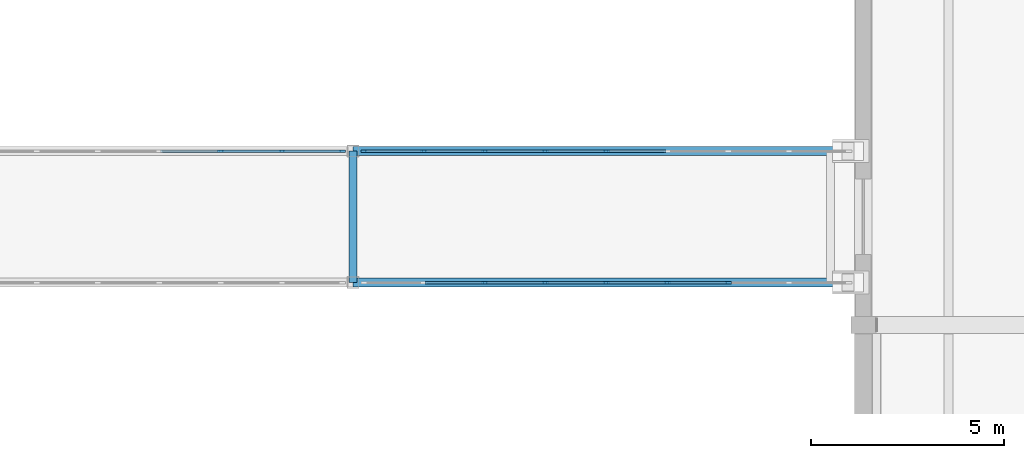
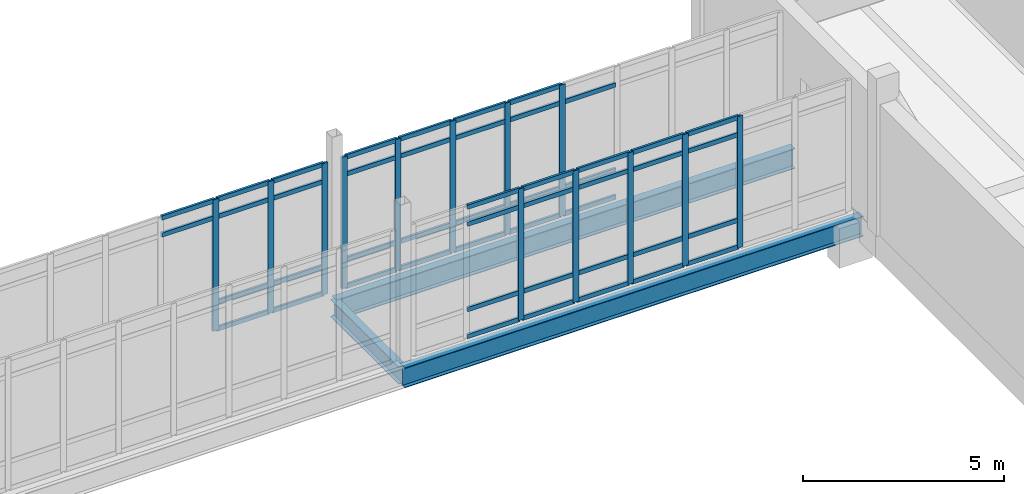
# One storey, part 17 of 101: 62 members, 3 beams, 3 elements without a shape of their own.
"""IFC4 building model written with IfcOpenShell, lengths in metres."""

from ifc_helpers import new_model, si_unit, direction, frame, origin, origin_2d, place, context, subcontext, project, spatial, rectangle, i_section, extrude, material, material_profile, profile_set, type_object, element, aggregate, save


model = new_model("IFC4")

# Units and contexts
model_context = context("Model", 3, precision=1e-05, world=origin(), true_north=direction((0.0, 1.0)))
body_context = subcontext(model_context, "Body", "Model", "MODEL_VIEW")
ifc_project = project(units=[si_unit("LENGTHUNIT", "METRE"), si_unit("AREAUNIT", "SQUARE_METRE"), si_unit("VOLUMEUNIT", "CUBIC_METRE"), si_unit("PLANEANGLEUNIT", "RADIAN"), si_unit("MASSUNIT", "GRAM", prefix="KILO")], contexts=[model_context])

# Site, building, storey
site_placement = place(None, origin())
site = spatial("IfcSite", under=ifc_project, at=site_placement, CompositionType="ELEMENT")
building_placement = place(site_placement, origin())
building = spatial("IfcBuilding", under=site, at=building_placement, Name="Dornvale Research Institute", CompositionType="ELEMENT")
storey_placement = place(building_placement, frame((0.0, 0.0, 10.199951171875)))
storey = spatial("IfcBuildingStorey", under=building, at=storey_placement, Name="L02", CompositionType="ELEMENT", Elevation=10.199951171875)

# Beams
ifc_material_1 = material(Name="Steel ASTM A992 Grade 50", Category="steel")
ifc_material_profile_1 = material_profile(ifc_material_1, i_section(OverallWidth=0.2099609375, OverallDepth=0.535888671875, WebThickness=0.010986328125, FlangeThickness=0.017333984375, at=origin_2d()), Name="W21X68")
ifc_profile_set_1 = profile_set([ifc_material_profile_1], Name="Steel ASTM A992 Grade 50")
beam_type_1 = type_object("IfcBeamType", Name="Beam_Steel_W21X68_Ext", PredefinedType="BEAM", material=ifc_profile_set_1)
beam_placement = place(storey_placement, frame((85.800048828125, 18.699951171875, -0.488037109375), z_axis=(0.0, 1.0, 0.0), x_axis=(-1.0, 0.0, 0.0)))
element("IfcBeam", 1, at=beam_placement, inside=storey, type_object=beam_type_1, Name="L02 BR-6 portal cap beam #2026", PredefinedType="BEAM", context=body_context, shape_type="SweptSolid", body=[
    extrude(i_section(OverallWidth=0.2099609375, OverallDepth=0.535888671875, WebThickness=0.010986328125, FlangeThickness=0.017333984375, at=origin_2d()), origin(), (0.0, 0.0, 1.0), 3.400146484375),
])
ifc_material_2 = material(Name="Steel ASTM A992 Grade 50", Category="steel")
ifc_material_profile_2 = material_profile(ifc_material_2, i_section(OverallWidth=0.22900390625, OverallDepth=0.612060546875, WebThickness=0.011962890625, FlangeThickness=0.01953125, at=origin_2d()), Name="W24X84")
ifc_profile_set_2 = profile_set([ifc_material_profile_2], Name="Steel ASTM A992 Grade 50")
beam_type_2 = type_object("IfcBeamType", Name="Beam_Steel_W24X84_Bridge", PredefinedType="BEAM", material=ifc_profile_set_2)
for number, where, z_axis, x_axis, name in (
    (2, (85.800048828125, 18.699951171875, -0.52587890625), (1.0, 0.0, 0.0), (0.0, 1.0, 0.0), "L02 BR-6 south girder #2026"),
    (3, (85.800048828125, 22.10009765625, -0.52587890625), (1.0, 0.0, 0.0), (0.0, 1.0, 0.0), "L02 BR-6 north girder #2026"),
):
    element("IfcBeam", number, at=place(storey_placement, frame(where, z_axis=z_axis, x_axis=x_axis)), inside=storey, type_object=beam_type_2, Name=name, PredefinedType="BEAM", context=body_context, shape_type="SweptSolid", body=[
        extrude(i_section(OverallWidth=0.22900390625, OverallDepth=0.612060546875, WebThickness=0.011962890625, FlangeThickness=0.01953125, at=origin_2d()), origin(), (0.0, 0.0, 1.0), 13.199951171875),
    ])

# Curtain wall, members
ifc_material_3 = material(Name="Low-E Argon Double Insulating Glazing Unit", Category="glass")
curtain_wall_type_1 = type_object("IfcCurtainWallType", Name="UnitisedCurtainWall_V2_12700x4000", PredefinedType="USERDEFINED", material=ifc_material_3)
curtain_wall_1_placement = place(storey_placement, origin())
curtain_wall_1 = element("IfcCurtainWall", 4, at=curtain_wall_1_placement, inside=storey, type_object=curtain_wall_type_1, Name="L02 V2 unitised curtain wall CW-42 #227", ObjectType="UNITISED CURTAIN WALL", PredefinedType="USERDEFINED")
ifc_material_4 = material(Name="Anodized Aluminum AA 6063-T6 Thermally Broken Frame", Category="aluminium")
ifc_material_profile_3 = material_profile(ifc_material_4, rectangle(XDim=0.06494140625, YDim=0.1650390625, at=origin_2d()), Name="ALU MULLION 65x165")
ifc_profile_set_3 = profile_set([ifc_material_profile_3], Name="Anodized Aluminum AA 6063-T6 Thermally Broken Frame")
member_type_1 = type_object("IfcMemberType", Name="Mullion_Atrium_65x165", PredefinedType="MULLION", material=ifc_profile_set_3)
member_1_placement = place(storey_placement, frame((82.375, 22.10009765625, 0.0), z_axis=(0.0, 0.0, 1.0), x_axis=(0.0, 1.0, 0.0)))
member_1 = element("IfcMember", 5, at=member_1_placement, type_object=member_type_1, Name="CW-42 mullion 7", PredefinedType="MULLION", context=body_context, shape_type="SweptSolid", body=[
    extrude(rectangle(XDim=0.06494140625, YDim=0.1650390625, at=origin_2d()), origin(), (0.0, 0.0, 1.0), 4.0),
])
member_2_placement = place(storey_placement, frame((83.96240234375, 22.10009765625, 0.0), z_axis=(0.0, 0.0, 1.0), x_axis=(0.0, 1.0, 0.0)))
member_2 = element("IfcMember", 6, at=member_2_placement, type_object=member_type_1, Name="CW-42 mullion 8", PredefinedType="MULLION", context=body_context, shape_type="SweptSolid", body=[
    extrude(rectangle(XDim=0.06494140625, YDim=0.1650390625, at=origin_2d()), origin(), (0.0, 0.0, 1.0), 4.0),
])
member_3_placement = place(storey_placement, frame((85.517578125, 22.10009765625, 0.0), z_axis=(0.0, 0.0, 1.0), x_axis=(0.0, 1.0, 0.0)))
member_3 = element("IfcMember", 7, at=member_3_placement, type_object=member_type_1, Name="CW-42 mullion 9", PredefinedType="MULLION", context=body_context, shape_type="SweptSolid", body=[
    extrude(rectangle(XDim=0.06494140625, YDim=0.1650390625, at=origin_2d()), origin(), (0.0, 0.0, 1.0), 4.0),
])

ifc_material_5 = material(Name="Low-E Argon Double Insulating Glazing Unit", Category="glass")
curtain_wall_type_2 = type_object("IfcCurtainWallType", Name="UnitisedCurtainWall_V2_12600x4000", PredefinedType="USERDEFINED", material=ifc_material_5)
curtain_wall_2_placement = place(storey_placement, origin())
curtain_wall_2 = element("IfcCurtainWall", 8, at=curtain_wall_2_placement, inside=storey, type_object=curtain_wall_type_2, Name="L02 V2 unitised curtain wall CW-41 #229", ObjectType="UNITISED CURTAIN WALL", PredefinedType="USERDEFINED")
member_4_placement = place(storey_placement, frame((86.08251953125, 22.10009765625, 0.0), z_axis=(0.0, 0.0, 1.0), x_axis=(0.0, 1.0, 0.0)))
member_4 = element("IfcMember", 9, at=member_4_placement, type_object=member_type_1, Name="CW-41 mullion 1", PredefinedType="MULLION", context=body_context, shape_type="SweptSolid", body=[
    extrude(rectangle(XDim=0.06494140625, YDim=0.1650390625, at=origin_2d()), origin(), (0.0, 0.0, 1.0), 4.0),
])
member_5_placement = place(storey_placement, frame((87.625, 22.10009765625, 0.0), z_axis=(0.0, 0.0, 1.0), x_axis=(0.0, 1.0, 0.0)))
member_5 = element("IfcMember", 10, at=member_5_placement, type_object=member_type_1, Name="CW-41 mullion 2", PredefinedType="MULLION", context=body_context, shape_type="SweptSolid", body=[
    extrude(rectangle(XDim=0.06494140625, YDim=0.1650390625, at=origin_2d()), origin(), (0.0, 0.0, 1.0), 4.0),
])
member_6_placement = place(storey_placement, frame((89.199951171875, 22.10009765625, 0.0), z_axis=(0.0, 0.0, 1.0), x_axis=(0.0, 1.0, 0.0)))
member_6 = element("IfcMember", 11, at=member_6_placement, type_object=member_type_1, Name="CW-41 mullion 3", PredefinedType="MULLION", context=body_context, shape_type="SweptSolid", body=[
    extrude(rectangle(XDim=0.06494140625, YDim=0.1650390625, at=origin_2d()), origin(), (0.0, 0.0, 1.0), 4.0),
])
member_7_placement = place(storey_placement, frame((90.77490234375, 22.10009765625, 0.0), z_axis=(0.0, 0.0, 1.0), x_axis=(0.0, 1.0, 0.0)))
member_7 = element("IfcMember", 12, at=member_7_placement, type_object=member_type_1, Name="CW-41 mullion 4", PredefinedType="MULLION", context=body_context, shape_type="SweptSolid", body=[
    extrude(rectangle(XDim=0.06494140625, YDim=0.1650390625, at=origin_2d()), origin(), (0.0, 0.0, 1.0), 4.0),
])
member_8_placement = place(storey_placement, frame((92.35009765625, 22.10009765625, 0.0), z_axis=(0.0, 0.0, 1.0), x_axis=(0.0, 1.0, 0.0)))
member_8 = element("IfcMember", 13, at=member_8_placement, type_object=member_type_1, Name="CW-41 mullion 5", PredefinedType="MULLION", context=body_context, shape_type="SweptSolid", body=[
    extrude(rectangle(XDim=0.06494140625, YDim=0.1650390625, at=origin_2d()), origin(), (0.0, 0.0, 1.0), 4.0),
])

curtain_wall_3_placement = place(storey_placement, origin())
curtain_wall_3 = element("IfcCurtainWall", 14, at=curtain_wall_3_placement, inside=storey, type_object=curtain_wall_type_2, Name="L02 V2 unitised curtain wall CW-41 #230", ObjectType="UNITISED CURTAIN WALL", PredefinedType="USERDEFINED")
member_9_placement = place(storey_placement, frame((95.5, 18.699951171875, 0.0), z_axis=(0.0, 0.0, 1.0), x_axis=(0.0, -1.0, 0.0)))
member_9 = element("IfcMember", 15, at=member_9_placement, type_object=member_type_1, Name="CW-41 mullion 3", PredefinedType="MULLION", context=body_context, shape_type="SweptSolid", body=[
    extrude(rectangle(XDim=0.06494140625, YDim=0.1650390625, at=origin_2d()), origin(), (0.0, 0.0, 1.0), 4.0),
])
member_10_placement = place(storey_placement, frame((93.925048828125, 18.699951171875, 0.0), z_axis=(0.0, 0.0, 1.0), x_axis=(0.0, -1.0, 0.0)))
member_10 = element("IfcMember", 16, at=member_10_placement, type_object=member_type_1, Name="CW-41 mullion 4", PredefinedType="MULLION", context=body_context, shape_type="SweptSolid", body=[
    extrude(rectangle(XDim=0.06494140625, YDim=0.1650390625, at=origin_2d()), origin(), (0.0, 0.0, 1.0), 4.0),
])
member_11_placement = place(storey_placement, frame((92.35009765625, 18.699951171875, 0.0), z_axis=(0.0, 0.0, 1.0), x_axis=(0.0, -1.0, 0.0)))
member_11 = element("IfcMember", 17, at=member_11_placement, type_object=member_type_1, Name="CW-41 mullion 5", PredefinedType="MULLION", context=body_context, shape_type="SweptSolid", body=[
    extrude(rectangle(XDim=0.06494140625, YDim=0.1650390625, at=origin_2d()), origin(), (0.0, 0.0, 1.0), 4.0),
])
member_12_placement = place(storey_placement, frame((90.77490234375, 18.699951171875, 0.0), z_axis=(0.0, 0.0, 1.0), x_axis=(0.0, -1.0, 0.0)))
member_12 = element("IfcMember", 18, at=member_12_placement, type_object=member_type_1, Name="CW-41 mullion 6", PredefinedType="MULLION", context=body_context, shape_type="SweptSolid", body=[
    extrude(rectangle(XDim=0.06494140625, YDim=0.1650390625, at=origin_2d()), origin(), (0.0, 0.0, 1.0), 4.0),
])
member_13_placement = place(storey_placement, frame((89.199951171875, 18.699951171875, 0.0), z_axis=(0.0, 0.0, 1.0), x_axis=(0.0, -1.0, 0.0)))
member_13 = element("IfcMember", 19, at=member_13_placement, type_object=member_type_1, Name="CW-41 mullion 7", PredefinedType="MULLION", context=body_context, shape_type="SweptSolid", body=[
    extrude(rectangle(XDim=0.06494140625, YDim=0.1650390625, at=origin_2d()), origin(), (0.0, 0.0, 1.0), 4.0),
])

# Member
ifc_material_6 = material(Name="Anodized Aluminum AA 6063-T6 Thermally Broken Frame", Category="aluminium")
ifc_material_profile_4 = material_profile(ifc_material_6, rectangle(XDim=0.06494140625, YDim=0.135009765625, at=origin_2d()), Name="ALU TRANSOM 65x135")
ifc_profile_set_4 = profile_set([ifc_material_profile_4], Name="Anodized Aluminum AA 6063-T6 Thermally Broken Frame")
member_type_2 = type_object("IfcMemberType", Name="Transom_CW_65x135", PredefinedType="USERDEFINED", material=ifc_profile_set_4)
member_14_placement = place(storey_placement, frame((80.820068359375, 22.10009765625, 3.449951171875), z_axis=(1.0, 0.0, 0.0), x_axis=(0.0, 1.0, 0.0)))
member_14 = element("IfcMember", 20, at=member_14_placement, type_object=member_type_2, Name="CW-42 transom 6.3", ObjectType="TRANSOM", PredefinedType="USERDEFINED", context=body_context, shape_type="SweptSolid", body=[
    extrude(rectangle(XDim=0.06494140625, YDim=0.135009765625, at=origin_2d()), origin(), (0.0, 0.0, 1.0), 1.5224609375),
])

member_15_placement = place(storey_placement, frame((80.820068359375, 22.10009765625, 3.967529296875), z_axis=(1.0, 0.0, 0.0), x_axis=(0.0, 1.0, 0.0)))
member_15 = element("IfcMember", 21, at=member_15_placement, type_object=member_type_2, Name="CW-42 transom 6.4", ObjectType="TRANSOM", PredefinedType="USERDEFINED", context=body_context, shape_type="SweptSolid", body=[
    extrude(rectangle(XDim=0.06494140625, YDim=0.135009765625, at=origin_2d()), origin(), (0.0, 0.0, 1.0), 1.5224609375),
])

member_16_placement = place(storey_placement, frame((82.407470703125, 22.10009765625, 0.032470703125), z_axis=(1.0, 0.0, 0.0), x_axis=(0.0, 1.0, 0.0)))
member_16 = element("IfcMember", 22, at=member_16_placement, type_object=member_type_2, Name="CW-42 transom 7.1", ObjectType="TRANSOM", PredefinedType="USERDEFINED", context=body_context, shape_type="SweptSolid", body=[
    extrude(rectangle(XDim=0.06494140625, YDim=0.135009765625, at=origin_2d()), origin(), (0.0, 0.0, 1.0), 1.5224609375),
])

member_17_placement = place(storey_placement, frame((82.407470703125, 22.10009765625, 0.85009765625), z_axis=(1.0, 0.0, 0.0), x_axis=(0.0, 1.0, 0.0)))
member_17 = element("IfcMember", 23, at=member_17_placement, type_object=member_type_2, Name="CW-42 transom 7.2", ObjectType="TRANSOM", PredefinedType="USERDEFINED", context=body_context, shape_type="SweptSolid", body=[
    extrude(rectangle(XDim=0.06494140625, YDim=0.135009765625, at=origin_2d()), origin(), (0.0, 0.0, 1.0), 1.5224609375),
])

member_18_placement = place(storey_placement, frame((82.407470703125, 22.10009765625, 3.449951171875), z_axis=(1.0, 0.0, 0.0), x_axis=(0.0, 1.0, 0.0)))
member_18 = element("IfcMember", 24, at=member_18_placement, type_object=member_type_2, Name="CW-42 transom 7.3", ObjectType="TRANSOM", PredefinedType="USERDEFINED", context=body_context, shape_type="SweptSolid", body=[
    extrude(rectangle(XDim=0.06494140625, YDim=0.135009765625, at=origin_2d()), origin(), (0.0, 0.0, 1.0), 1.5224609375),
])

member_19_placement = place(storey_placement, frame((82.407470703125, 22.10009765625, 3.967529296875), z_axis=(1.0, 0.0, 0.0), x_axis=(0.0, 1.0, 0.0)))
member_19 = element("IfcMember", 25, at=member_19_placement, type_object=member_type_2, Name="CW-42 transom 7.4", ObjectType="TRANSOM", PredefinedType="USERDEFINED", context=body_context, shape_type="SweptSolid", body=[
    extrude(rectangle(XDim=0.06494140625, YDim=0.135009765625, at=origin_2d()), origin(), (0.0, 0.0, 1.0), 1.5224609375),
])

member_20_placement = place(storey_placement, frame((83.9951171875, 22.10009765625, 0.032470703125), z_axis=(1.0, 0.0, 0.0), x_axis=(0.0, 1.0, 0.0)))
member_20 = element("IfcMember", 26, at=member_20_placement, type_object=member_type_2, Name="CW-42 transom 8.1", ObjectType="TRANSOM", PredefinedType="USERDEFINED", context=body_context, shape_type="SweptSolid", body=[
    extrude(rectangle(XDim=0.06494140625, YDim=0.135009765625, at=origin_2d()), origin(), (0.0, 0.0, 1.0), 1.489990234375),
])

member_21_placement = place(storey_placement, frame((83.9951171875, 22.10009765625, 0.85009765625), z_axis=(1.0, 0.0, 0.0), x_axis=(0.0, 1.0, 0.0)))
member_21 = element("IfcMember", 27, at=member_21_placement, type_object=member_type_2, Name="CW-42 transom 8.2", ObjectType="TRANSOM", PredefinedType="USERDEFINED", context=body_context, shape_type="SweptSolid", body=[
    extrude(rectangle(XDim=0.06494140625, YDim=0.135009765625, at=origin_2d()), origin(), (0.0, 0.0, 1.0), 1.489990234375),
])

member_22_placement = place(storey_placement, frame((83.9951171875, 22.10009765625, 3.449951171875), z_axis=(1.0, 0.0, 0.0), x_axis=(0.0, 1.0, 0.0)))
member_22 = element("IfcMember", 28, at=member_22_placement, type_object=member_type_2, Name="CW-42 transom 8.3", ObjectType="TRANSOM", PredefinedType="USERDEFINED", context=body_context, shape_type="SweptSolid", body=[
    extrude(rectangle(XDim=0.06494140625, YDim=0.135009765625, at=origin_2d()), origin(), (0.0, 0.0, 1.0), 1.489990234375),
])

member_23_placement = place(storey_placement, frame((83.9951171875, 22.10009765625, 3.967529296875), z_axis=(1.0, 0.0, 0.0), x_axis=(0.0, 1.0, 0.0)))
member_23 = element("IfcMember", 29, at=member_23_placement, type_object=member_type_2, Name="CW-42 transom 8.4", ObjectType="TRANSOM", PredefinedType="USERDEFINED", context=body_context, shape_type="SweptSolid", body=[
    extrude(rectangle(XDim=0.06494140625, YDim=0.135009765625, at=origin_2d()), origin(), (0.0, 0.0, 1.0), 1.489990234375),
])

aggregate(curtain_wall_1, [member_1, member_2, member_3, member_14, member_15, member_16, member_17, member_18, member_19, member_20, member_21, member_22, member_23])

member_24_placement = place(storey_placement, frame((86.114990234375, 22.10009765625, 0.032470703125), z_axis=(1.0, 0.0, 0.0), x_axis=(0.0, 1.0, 0.0)))
member_24 = element("IfcMember", 30, at=member_24_placement, type_object=member_type_2, Name="CW-41 transom 1.1", ObjectType="TRANSOM", PredefinedType="USERDEFINED", context=body_context, shape_type="SweptSolid", body=[
    extrude(rectangle(XDim=0.06494140625, YDim=0.135009765625, at=origin_2d()), origin(), (0.0, 0.0, 1.0), 1.4775390625),
])

member_25_placement = place(storey_placement, frame((86.114990234375, 22.10009765625, 0.85009765625), z_axis=(1.0, 0.0, 0.0), x_axis=(0.0, 1.0, 0.0)))
member_25 = element("IfcMember", 31, at=member_25_placement, type_object=member_type_2, Name="CW-41 transom 1.2", ObjectType="TRANSOM", PredefinedType="USERDEFINED", context=body_context, shape_type="SweptSolid", body=[
    extrude(rectangle(XDim=0.06494140625, YDim=0.135009765625, at=origin_2d()), origin(), (0.0, 0.0, 1.0), 1.4775390625),
])

member_26_placement = place(storey_placement, frame((86.114990234375, 22.10009765625, 3.449951171875), z_axis=(1.0, 0.0, 0.0), x_axis=(0.0, 1.0, 0.0)))
member_26 = element("IfcMember", 32, at=member_26_placement, type_object=member_type_2, Name="CW-41 transom 1.3", ObjectType="TRANSOM", PredefinedType="USERDEFINED", context=body_context, shape_type="SweptSolid", body=[
    extrude(rectangle(XDim=0.06494140625, YDim=0.135009765625, at=origin_2d()), origin(), (0.0, 0.0, 1.0), 1.4775390625),
])

member_27_placement = place(storey_placement, frame((86.114990234375, 22.10009765625, 3.967529296875), z_axis=(1.0, 0.0, 0.0), x_axis=(0.0, 1.0, 0.0)))
member_27 = element("IfcMember", 33, at=member_27_placement, type_object=member_type_2, Name="CW-41 transom 1.4", ObjectType="TRANSOM", PredefinedType="USERDEFINED", context=body_context, shape_type="SweptSolid", body=[
    extrude(rectangle(XDim=0.06494140625, YDim=0.135009765625, at=origin_2d()), origin(), (0.0, 0.0, 1.0), 1.4775390625),
])

member_28_placement = place(storey_placement, frame((87.657470703125, 22.10009765625, 0.032470703125), z_axis=(1.0, 0.0, 0.0), x_axis=(0.0, 1.0, 0.0)))
member_28 = element("IfcMember", 34, at=member_28_placement, type_object=member_type_2, Name="CW-41 transom 2.1", ObjectType="TRANSOM", PredefinedType="USERDEFINED", context=body_context, shape_type="SweptSolid", body=[
    extrude(rectangle(XDim=0.06494140625, YDim=0.135009765625, at=origin_2d()), origin(), (0.0, 0.0, 1.0), 1.510009765625),
])

member_29_placement = place(storey_placement, frame((87.657470703125, 22.10009765625, 0.85009765625), z_axis=(1.0, 0.0, 0.0), x_axis=(0.0, 1.0, 0.0)))
member_29 = element("IfcMember", 35, at=member_29_placement, type_object=member_type_2, Name="CW-41 transom 2.2", ObjectType="TRANSOM", PredefinedType="USERDEFINED", context=body_context, shape_type="SweptSolid", body=[
    extrude(rectangle(XDim=0.06494140625, YDim=0.135009765625, at=origin_2d()), origin(), (0.0, 0.0, 1.0), 1.510009765625),
])

member_30_placement = place(storey_placement, frame((87.657470703125, 22.10009765625, 3.449951171875), z_axis=(1.0, 0.0, 0.0), x_axis=(0.0, 1.0, 0.0)))
member_30 = element("IfcMember", 36, at=member_30_placement, type_object=member_type_2, Name="CW-41 transom 2.3", ObjectType="TRANSOM", PredefinedType="USERDEFINED", context=body_context, shape_type="SweptSolid", body=[
    extrude(rectangle(XDim=0.06494140625, YDim=0.135009765625, at=origin_2d()), origin(), (0.0, 0.0, 1.0), 1.510009765625),
])

member_31_placement = place(storey_placement, frame((87.657470703125, 22.10009765625, 3.967529296875), z_axis=(1.0, 0.0, 0.0), x_axis=(0.0, 1.0, 0.0)))
member_31 = element("IfcMember", 37, at=member_31_placement, type_object=member_type_2, Name="CW-41 transom 2.4", ObjectType="TRANSOM", PredefinedType="USERDEFINED", context=body_context, shape_type="SweptSolid", body=[
    extrude(rectangle(XDim=0.06494140625, YDim=0.135009765625, at=origin_2d()), origin(), (0.0, 0.0, 1.0), 1.510009765625),
])

member_32_placement = place(storey_placement, frame((89.232421875, 22.10009765625, 0.032470703125), z_axis=(1.0, 0.0, 0.0), x_axis=(0.0, 1.0, 0.0)))
member_32 = element("IfcMember", 38, at=member_32_placement, type_object=member_type_2, Name="CW-41 transom 3.1", ObjectType="TRANSOM", PredefinedType="USERDEFINED", context=body_context, shape_type="SweptSolid", body=[
    extrude(rectangle(XDim=0.06494140625, YDim=0.135009765625, at=origin_2d()), origin(), (0.0, 0.0, 1.0), 1.510009765625),
])

member_33_placement = place(storey_placement, frame((89.232421875, 22.10009765625, 0.85009765625), z_axis=(1.0, 0.0, 0.0), x_axis=(0.0, 1.0, 0.0)))
member_33 = element("IfcMember", 39, at=member_33_placement, type_object=member_type_2, Name="CW-41 transom 3.2", ObjectType="TRANSOM", PredefinedType="USERDEFINED", context=body_context, shape_type="SweptSolid", body=[
    extrude(rectangle(XDim=0.06494140625, YDim=0.135009765625, at=origin_2d()), origin(), (0.0, 0.0, 1.0), 1.510009765625),
])

member_34_placement = place(storey_placement, frame((89.232421875, 22.10009765625, 3.449951171875), z_axis=(1.0, 0.0, 0.0), x_axis=(0.0, 1.0, 0.0)))
member_34 = element("IfcMember", 40, at=member_34_placement, type_object=member_type_2, Name="CW-41 transom 3.3", ObjectType="TRANSOM", PredefinedType="USERDEFINED", context=body_context, shape_type="SweptSolid", body=[
    extrude(rectangle(XDim=0.06494140625, YDim=0.135009765625, at=origin_2d()), origin(), (0.0, 0.0, 1.0), 1.510009765625),
])

member_35_placement = place(storey_placement, frame((89.232421875, 22.10009765625, 3.967529296875), z_axis=(1.0, 0.0, 0.0), x_axis=(0.0, 1.0, 0.0)))
member_35 = element("IfcMember", 41, at=member_35_placement, type_object=member_type_2, Name="CW-41 transom 3.4", ObjectType="TRANSOM", PredefinedType="USERDEFINED", context=body_context, shape_type="SweptSolid", body=[
    extrude(rectangle(XDim=0.06494140625, YDim=0.135009765625, at=origin_2d()), origin(), (0.0, 0.0, 1.0), 1.510009765625),
])

member_36_placement = place(storey_placement, frame((90.8076171875, 22.10009765625, 0.032470703125), z_axis=(1.0, 0.0, 0.0), x_axis=(0.0, 1.0, 0.0)))
member_36 = element("IfcMember", 42, at=member_36_placement, type_object=member_type_2, Name="CW-41 transom 4.1", ObjectType="TRANSOM", PredefinedType="USERDEFINED", context=body_context, shape_type="SweptSolid", body=[
    extrude(rectangle(XDim=0.06494140625, YDim=0.135009765625, at=origin_2d()), origin(), (0.0, 0.0, 1.0), 1.509765625),
])

member_37_placement = place(storey_placement, frame((90.8076171875, 22.10009765625, 0.85009765625), z_axis=(1.0, 0.0, 0.0), x_axis=(0.0, 1.0, 0.0)))
member_37 = element("IfcMember", 43, at=member_37_placement, type_object=member_type_2, Name="CW-41 transom 4.2", ObjectType="TRANSOM", PredefinedType="USERDEFINED", context=body_context, shape_type="SweptSolid", body=[
    extrude(rectangle(XDim=0.06494140625, YDim=0.135009765625, at=origin_2d()), origin(), (0.0, 0.0, 1.0), 1.509765625),
])

member_38_placement = place(storey_placement, frame((90.8076171875, 22.10009765625, 3.449951171875), z_axis=(1.0, 0.0, 0.0), x_axis=(0.0, 1.0, 0.0)))
member_38 = element("IfcMember", 44, at=member_38_placement, type_object=member_type_2, Name="CW-41 transom 4.3", ObjectType="TRANSOM", PredefinedType="USERDEFINED", context=body_context, shape_type="SweptSolid", body=[
    extrude(rectangle(XDim=0.06494140625, YDim=0.135009765625, at=origin_2d()), origin(), (0.0, 0.0, 1.0), 1.509765625),
])

member_39_placement = place(storey_placement, frame((90.8076171875, 22.10009765625, 3.967529296875), z_axis=(1.0, 0.0, 0.0), x_axis=(0.0, 1.0, 0.0)))
member_39 = element("IfcMember", 45, at=member_39_placement, type_object=member_type_2, Name="CW-41 transom 4.4", ObjectType="TRANSOM", PredefinedType="USERDEFINED", context=body_context, shape_type="SweptSolid", body=[
    extrude(rectangle(XDim=0.06494140625, YDim=0.135009765625, at=origin_2d()), origin(), (0.0, 0.0, 1.0), 1.509765625),
])

member_40_placement = place(storey_placement, frame((92.382568359375, 22.10009765625, 0.032470703125), z_axis=(1.0, 0.0, 0.0), x_axis=(0.0, 1.0, 0.0)))
member_40 = element("IfcMember", 46, at=member_40_placement, type_object=member_type_2, Name="CW-41 transom 5.1", ObjectType="TRANSOM", PredefinedType="USERDEFINED", context=body_context, shape_type="SweptSolid", body=[
    extrude(rectangle(XDim=0.06494140625, YDim=0.135009765625, at=origin_2d()), origin(), (0.0, 0.0, 1.0), 1.510009765625),
])

member_41_placement = place(storey_placement, frame((92.382568359375, 22.10009765625, 0.85009765625), z_axis=(1.0, 0.0, 0.0), x_axis=(0.0, 1.0, 0.0)))
member_41 = element("IfcMember", 47, at=member_41_placement, type_object=member_type_2, Name="CW-41 transom 5.2", ObjectType="TRANSOM", PredefinedType="USERDEFINED", context=body_context, shape_type="SweptSolid", body=[
    extrude(rectangle(XDim=0.06494140625, YDim=0.135009765625, at=origin_2d()), origin(), (0.0, 0.0, 1.0), 1.510009765625),
])

member_42_placement = place(storey_placement, frame((92.382568359375, 22.10009765625, 3.449951171875), z_axis=(1.0, 0.0, 0.0), x_axis=(0.0, 1.0, 0.0)))
member_42 = element("IfcMember", 48, at=member_42_placement, type_object=member_type_2, Name="CW-41 transom 5.3", ObjectType="TRANSOM", PredefinedType="USERDEFINED", context=body_context, shape_type="SweptSolid", body=[
    extrude(rectangle(XDim=0.06494140625, YDim=0.135009765625, at=origin_2d()), origin(), (0.0, 0.0, 1.0), 1.510009765625),
])

aggregate(curtain_wall_2, [member_4, member_5, member_6, member_7, member_8, member_24, member_25, member_26, member_27, member_28, member_29, member_30, member_31, member_32, member_33, member_34, member_35, member_36, member_37, member_38, member_39, member_40, member_41, member_42])

member_43_placement = place(storey_placement, frame((95.467529296875, 18.699951171875, 0.032470703125), z_axis=(-1.0, 0.0, 0.0), x_axis=(0.0, -1.0, 0.0)))
member_43 = element("IfcMember", 49, at=member_43_placement, type_object=member_type_2, Name="CW-41 transom 3.1", ObjectType="TRANSOM", PredefinedType="USERDEFINED", context=body_context, shape_type="SweptSolid", body=[
    extrude(rectangle(XDim=0.06494140625, YDim=0.135009765625, at=origin_2d()), origin(), (0.0, 0.0, 1.0), 1.510009765625),
])

member_44_placement = place(storey_placement, frame((95.467529296875, 18.699951171875, 0.85009765625), z_axis=(-1.0, 0.0, 0.0), x_axis=(0.0, -1.0, 0.0)))
member_44 = element("IfcMember", 50, at=member_44_placement, type_object=member_type_2, Name="CW-41 transom 3.2", ObjectType="TRANSOM", PredefinedType="USERDEFINED", context=body_context, shape_type="SweptSolid", body=[
    extrude(rectangle(XDim=0.06494140625, YDim=0.135009765625, at=origin_2d()), origin(), (0.0, 0.0, 1.0), 1.510009765625),
])

member_45_placement = place(storey_placement, frame((95.467529296875, 18.699951171875, 3.449951171875), z_axis=(-1.0, 0.0, 0.0), x_axis=(0.0, -1.0, 0.0)))
member_45 = element("IfcMember", 51, at=member_45_placement, type_object=member_type_2, Name="CW-41 transom 3.3", ObjectType="TRANSOM", PredefinedType="USERDEFINED", context=body_context, shape_type="SweptSolid", body=[
    extrude(rectangle(XDim=0.06494140625, YDim=0.135009765625, at=origin_2d()), origin(), (0.0, 0.0, 1.0), 1.510009765625),
])

member_46_placement = place(storey_placement, frame((95.467529296875, 18.699951171875, 3.967529296875), z_axis=(-1.0, 0.0, 0.0), x_axis=(0.0, -1.0, 0.0)))
member_46 = element("IfcMember", 52, at=member_46_placement, type_object=member_type_2, Name="CW-41 transom 3.4", ObjectType="TRANSOM", PredefinedType="USERDEFINED", context=body_context, shape_type="SweptSolid", body=[
    extrude(rectangle(XDim=0.06494140625, YDim=0.135009765625, at=origin_2d()), origin(), (0.0, 0.0, 1.0), 1.510009765625),
])

member_47_placement = place(storey_placement, frame((93.892578125, 18.699951171875, 0.032470703125), z_axis=(-1.0, 0.0, 0.0), x_axis=(0.0, -1.0, 0.0)))
member_47 = element("IfcMember", 53, at=member_47_placement, type_object=member_type_2, Name="CW-41 transom 4.1", ObjectType="TRANSOM", PredefinedType="USERDEFINED", context=body_context, shape_type="SweptSolid", body=[
    extrude(rectangle(XDim=0.06494140625, YDim=0.135009765625, at=origin_2d()), origin(), (0.0, 0.0, 1.0), 1.510009765625),
])

member_48_placement = place(storey_placement, frame((93.892578125, 18.699951171875, 0.85009765625), z_axis=(-1.0, 0.0, 0.0), x_axis=(0.0, -1.0, 0.0)))
member_48 = element("IfcMember", 54, at=member_48_placement, type_object=member_type_2, Name="CW-41 transom 4.2", ObjectType="TRANSOM", PredefinedType="USERDEFINED", context=body_context, shape_type="SweptSolid", body=[
    extrude(rectangle(XDim=0.06494140625, YDim=0.135009765625, at=origin_2d()), origin(), (0.0, 0.0, 1.0), 1.510009765625),
])

member_49_placement = place(storey_placement, frame((93.892578125, 18.699951171875, 3.449951171875), z_axis=(-1.0, 0.0, 0.0), x_axis=(0.0, -1.0, 0.0)))
member_49 = element("IfcMember", 55, at=member_49_placement, type_object=member_type_2, Name="CW-41 transom 4.3", ObjectType="TRANSOM", PredefinedType="USERDEFINED", context=body_context, shape_type="SweptSolid", body=[
    extrude(rectangle(XDim=0.06494140625, YDim=0.135009765625, at=origin_2d()), origin(), (0.0, 0.0, 1.0), 1.510009765625),
])

member_50_placement = place(storey_placement, frame((93.892578125, 18.699951171875, 3.967529296875), z_axis=(-1.0, 0.0, 0.0), x_axis=(0.0, -1.0, 0.0)))
member_50 = element("IfcMember", 56, at=member_50_placement, type_object=member_type_2, Name="CW-41 transom 4.4", ObjectType="TRANSOM", PredefinedType="USERDEFINED", context=body_context, shape_type="SweptSolid", body=[
    extrude(rectangle(XDim=0.06494140625, YDim=0.135009765625, at=origin_2d()), origin(), (0.0, 0.0, 1.0), 1.510009765625),
])

member_51_placement = place(storey_placement, frame((92.3173828125, 18.699951171875, 0.032470703125), z_axis=(-1.0, 0.0, 0.0), x_axis=(0.0, -1.0, 0.0)))
member_51 = element("IfcMember", 57, at=member_51_placement, type_object=member_type_2, Name="CW-41 transom 5.1", ObjectType="TRANSOM", PredefinedType="USERDEFINED", context=body_context, shape_type="SweptSolid", body=[
    extrude(rectangle(XDim=0.06494140625, YDim=0.135009765625, at=origin_2d()), origin(), (0.0, 0.0, 1.0), 1.509765625),
])

member_52_placement = place(storey_placement, frame((92.3173828125, 18.699951171875, 0.85009765625), z_axis=(-1.0, 0.0, 0.0), x_axis=(0.0, -1.0, 0.0)))
member_52 = element("IfcMember", 58, at=member_52_placement, type_object=member_type_2, Name="CW-41 transom 5.2", ObjectType="TRANSOM", PredefinedType="USERDEFINED", context=body_context, shape_type="SweptSolid", body=[
    extrude(rectangle(XDim=0.06494140625, YDim=0.135009765625, at=origin_2d()), origin(), (0.0, 0.0, 1.0), 1.509765625),
])

member_53_placement = place(storey_placement, frame((92.3173828125, 18.699951171875, 3.449951171875), z_axis=(-1.0, 0.0, 0.0), x_axis=(0.0, -1.0, 0.0)))
member_53 = element("IfcMember", 59, at=member_53_placement, type_object=member_type_2, Name="CW-41 transom 5.3", ObjectType="TRANSOM", PredefinedType="USERDEFINED", context=body_context, shape_type="SweptSolid", body=[
    extrude(rectangle(XDim=0.06494140625, YDim=0.135009765625, at=origin_2d()), origin(), (0.0, 0.0, 1.0), 1.509765625),
])

member_54_placement = place(storey_placement, frame((92.3173828125, 18.699951171875, 3.967529296875), z_axis=(-1.0, 0.0, 0.0), x_axis=(0.0, -1.0, 0.0)))
member_54 = element("IfcMember", 60, at=member_54_placement, type_object=member_type_2, Name="CW-41 transom 5.4", ObjectType="TRANSOM", PredefinedType="USERDEFINED", context=body_context, shape_type="SweptSolid", body=[
    extrude(rectangle(XDim=0.06494140625, YDim=0.135009765625, at=origin_2d()), origin(), (0.0, 0.0, 1.0), 1.509765625),
])

member_55_placement = place(storey_placement, frame((90.742431640625, 18.699951171875, 0.032470703125), z_axis=(-1.0, 0.0, 0.0), x_axis=(0.0, -1.0, 0.0)))
member_55 = element("IfcMember", 61, at=member_55_placement, type_object=member_type_2, Name="CW-41 transom 6.1", ObjectType="TRANSOM", PredefinedType="USERDEFINED", context=body_context, shape_type="SweptSolid", body=[
    extrude(rectangle(XDim=0.06494140625, YDim=0.135009765625, at=origin_2d()), origin(), (0.0, 0.0, 1.0), 1.510009765625),
])

member_56_placement = place(storey_placement, frame((90.742431640625, 18.699951171875, 0.85009765625), z_axis=(-1.0, 0.0, 0.0), x_axis=(0.0, -1.0, 0.0)))
member_56 = element("IfcMember", 62, at=member_56_placement, type_object=member_type_2, Name="CW-41 transom 6.2", ObjectType="TRANSOM", PredefinedType="USERDEFINED", context=body_context, shape_type="SweptSolid", body=[
    extrude(rectangle(XDim=0.06494140625, YDim=0.135009765625, at=origin_2d()), origin(), (0.0, 0.0, 1.0), 1.510009765625),
])

member_57_placement = place(storey_placement, frame((90.742431640625, 18.699951171875, 3.449951171875), z_axis=(-1.0, 0.0, 0.0), x_axis=(0.0, -1.0, 0.0)))
member_57 = element("IfcMember", 63, at=member_57_placement, type_object=member_type_2, Name="CW-41 transom 6.3", ObjectType="TRANSOM", PredefinedType="USERDEFINED", context=body_context, shape_type="SweptSolid", body=[
    extrude(rectangle(XDim=0.06494140625, YDim=0.135009765625, at=origin_2d()), origin(), (0.0, 0.0, 1.0), 1.510009765625),
])

member_58_placement = place(storey_placement, frame((90.742431640625, 18.699951171875, 3.967529296875), z_axis=(-1.0, 0.0, 0.0), x_axis=(0.0, -1.0, 0.0)))
member_58 = element("IfcMember", 64, at=member_58_placement, type_object=member_type_2, Name="CW-41 transom 6.4", ObjectType="TRANSOM", PredefinedType="USERDEFINED", context=body_context, shape_type="SweptSolid", body=[
    extrude(rectangle(XDim=0.06494140625, YDim=0.135009765625, at=origin_2d()), origin(), (0.0, 0.0, 1.0), 1.510009765625),
])

member_59_placement = place(storey_placement, frame((89.16748046875, 18.699951171875, 0.032470703125), z_axis=(-1.0, 0.0, 0.0), x_axis=(0.0, -1.0, 0.0)))
member_59 = element("IfcMember", 65, at=member_59_placement, type_object=member_type_2, Name="CW-41 transom 7.1", ObjectType="TRANSOM", PredefinedType="USERDEFINED", context=body_context, shape_type="SweptSolid", body=[
    extrude(rectangle(XDim=0.06494140625, YDim=0.135009765625, at=origin_2d()), origin(), (0.0, 0.0, 1.0), 1.510009765625),
])

member_60_placement = place(storey_placement, frame((89.16748046875, 18.699951171875, 0.85009765625), z_axis=(-1.0, 0.0, 0.0), x_axis=(0.0, -1.0, 0.0)))
member_60 = element("IfcMember", 66, at=member_60_placement, type_object=member_type_2, Name="CW-41 transom 7.2", ObjectType="TRANSOM", PredefinedType="USERDEFINED", context=body_context, shape_type="SweptSolid", body=[
    extrude(rectangle(XDim=0.06494140625, YDim=0.135009765625, at=origin_2d()), origin(), (0.0, 0.0, 1.0), 1.510009765625),
])

member_61_placement = place(storey_placement, frame((89.16748046875, 18.699951171875, 3.449951171875), z_axis=(-1.0, 0.0, 0.0), x_axis=(0.0, -1.0, 0.0)))
member_61 = element("IfcMember", 67, at=member_61_placement, type_object=member_type_2, Name="CW-41 transom 7.3", ObjectType="TRANSOM", PredefinedType="USERDEFINED", context=body_context, shape_type="SweptSolid", body=[
    extrude(rectangle(XDim=0.06494140625, YDim=0.135009765625, at=origin_2d()), origin(), (0.0, 0.0, 1.0), 1.510009765625),
])

member_62_placement = place(storey_placement, frame((89.16748046875, 18.699951171875, 3.967529296875), z_axis=(-1.0, 0.0, 0.0), x_axis=(0.0, -1.0, 0.0)))
member_62 = element("IfcMember", 68, at=member_62_placement, type_object=member_type_2, Name="CW-41 transom 7.4", ObjectType="TRANSOM", PredefinedType="USERDEFINED", context=body_context, shape_type="SweptSolid", body=[
    extrude(rectangle(XDim=0.06494140625, YDim=0.135009765625, at=origin_2d()), origin(), (0.0, 0.0, 1.0), 1.510009765625),
])

aggregate(curtain_wall_3, [member_9, member_10, member_11, member_12, member_13, member_43, member_44, member_45, member_46, member_47, member_48, member_49, member_50, member_51, member_52, member_53, member_54, member_55, member_56, member_57, member_58, member_59, member_60, member_61, member_62])

save(model, "model.ifc")
